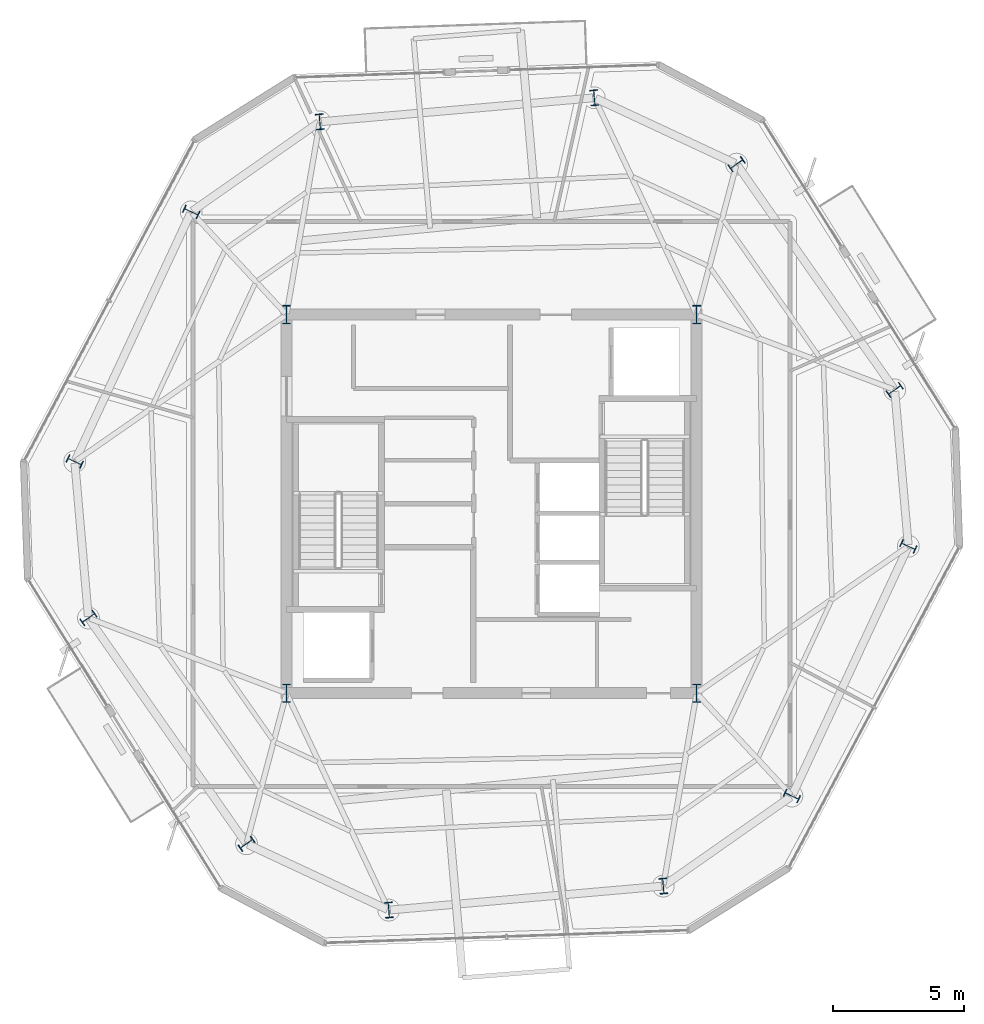
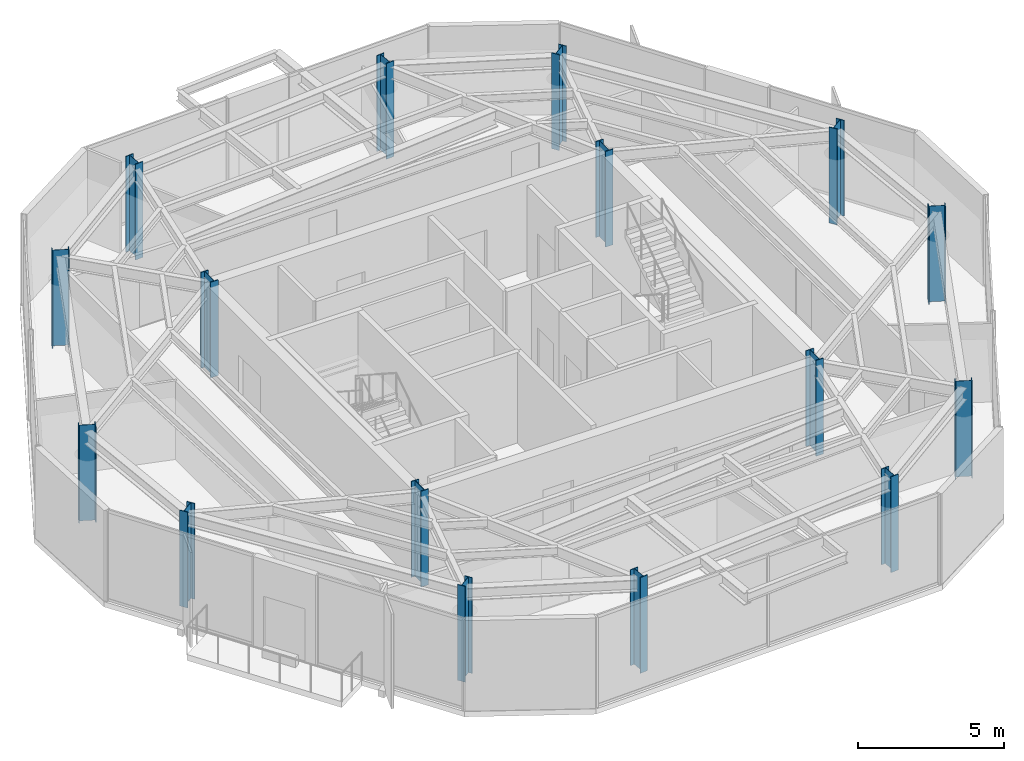
# One storey, part 1 of 11: 16 columns.
"""IFC4 building model written with IfcOpenShell, lengths in metres."""

from ifc_helpers import new_model, si_unit, direction, frame, origin, origin_2d, place, context, subcontext, project, spatial, i_section, extrude, material, material_profile, profile_set, type_object, element, save


model = new_model("IFC4")

# Units and contexts
model_context = context("Model", 3, precision=1e-05, world=origin(), true_north=direction((0.0, 1.0)))
body_context = subcontext(model_context, "Body", "Model", "MODEL_VIEW")
ifc_project = project(units=[si_unit("LENGTHUNIT", "METRE"), si_unit("AREAUNIT", "SQUARE_METRE"), si_unit("VOLUMEUNIT", "CUBIC_METRE"), si_unit("PLANEANGLEUNIT", "RADIAN"), si_unit("MASSUNIT", "GRAM", prefix="KILO")], contexts=[model_context])

# Site, building, storey
site_placement = place(None, origin())
site = spatial("IfcSite", under=ifc_project, at=site_placement, CompositionType="ELEMENT")
building_placement = place(site_placement, origin())
building = spatial("IfcBuilding", under=site, at=building_placement, Name="Kranzbogen Civic Tower", CompositionType="ELEMENT")
storey_placement = place(building_placement, frame((0.0, 0.0, 274.199951171875)))
storey = spatial("IfcBuildingStorey", under=building, at=storey_placement, Name="L66", CompositionType="ELEMENT", Elevation=274.199951171875)

# Columns
ifc_material = material(Name="Steel S355", Category="steel")
ifc_material_profile_1 = material_profile(ifc_material, i_section(OverallWidth=0.300048828125, OverallDepth=0.60009765625, WebThickness=0.015380859375, FlangeThickness=0.030029296875, at=origin_2d()), Name="HEB 600")
ifc_profile_set_1 = profile_set([ifc_material_profile_1], Name="Steel S355")
column_type_1 = type_object("IfcColumnType", Name="Structural Column HEB 600", PredefinedType="COLUMN", material=ifc_profile_set_1)
for number, where, z_axis, x_axis, name in (
    (1, (28.908935546875, 40.449951171875, 0.0), (0.0, 0.0, 1.0), (0.996194698092, 0.087155742748, 0.0), "L66 tower perimeter tube column 01"),
    (2, (18.467041015625, 39.535888671875, 0.0), (0.0, 0.0, 1.0), (0.996194698092, 0.087155742748, 0.0), "L66 tower perimeter tube column 02"),
    (3, (13.574951171875, 36.110107421875, 0.0), (0.0, 0.0, 1.0), (0.422618261741, 0.906307787037, 0.0), "L66 tower perimeter tube column 03"),
    (4, (9.14501953125, 26.610107421875, 0.0), (0.0, 0.0, 1.0), (0.422618261741, 0.906307787037, 0.0), "L66 tower perimeter tube column 04"),
    (5, (9.666015625, 20.660888671875, 0.0), (0.0, 0.0, 1.0), (-0.573576436351, 0.819152044289, 0.0), "L66 tower perimeter tube column 05"),
    (6, (15.677978515625, 12.073974609375, 0.0), (0.0, 0.0, 1.0), (-0.573576436351, 0.819152044289, 0.0), "L66 tower perimeter tube column 06"),
    (7, (21.091064453125, 9.550048828125, 0.0), (0.0, 0.0, 1.0), (0.996194698092, 0.087155742748, 0.0), "L66 tower perimeter tube column 07"),
    (8, (31.532958984375, 10.464111328125, 0.0), (0.0, 0.0, 1.0), (0.996194698092, 0.087155742748, 0.0), "L66 tower perimeter tube column 08"),
    (9, (36.425048828125, 13.889892578125, 0.0), (0.0, 0.0, 1.0), (0.422618261741, 0.906307787037, 0.0), "L66 tower perimeter tube column 09"),
    (10, (40.85498046875, 23.389892578125, 0.0), (0.0, 0.0, 1.0), (0.422618261741, 0.906307787037, 0.0), "L66 tower perimeter tube column 10"),
    (11, (40.333984375, 29.339111328125, 0.0), (0.0, 0.0, 1.0), (-0.573576436351, 0.819152044289, 0.0), "L66 tower perimeter tube column 11"),
    (12, (34.322021484375, 37.926025390625, 0.0), (0.0, 0.0, 1.0), (-0.573576436351, 0.819152044289, 0.0), "L66 tower perimeter tube column 12"),
):
    element("IfcColumn", number, at=place(storey_placement, frame(where, z_axis=z_axis, x_axis=x_axis)), inside=storey, type_object=column_type_1, Name=name, PredefinedType="COLUMN", context=body_context, shape_type="SweptSolid", body=[
        extrude(i_section(OverallWidth=0.300048828125, OverallDepth=0.60009765625, WebThickness=0.015380859375, FlangeThickness=0.030029296875, at=origin_2d()), origin(), (0.0, 0.0, 1.0), 4.0),
    ])
ifc_material_profile_2 = material_profile(ifc_material, i_section(OverallWidth=0.300048828125, OverallDepth=0.699951171875, WebThickness=0.01708984375, FlangeThickness=0.031982421875, at=origin_2d()), Name="HEB 700")
ifc_profile_set_2 = profile_set([ifc_material_profile_2], Name="Steel S355")
column_type_2 = type_object("IfcColumnType", Name="Structural Column HEB 700", PredefinedType="COLUMN", material=ifc_profile_set_2)
for number, where, z_axis, x_axis, name in (
    (13, (17.199951171875, 17.800048828125, 0.0), (0.0, 0.0, 1.0), (1.0, 0.0, 0.0), "L66 composite core corner column 1"),
    (14, (32.800048828125, 17.800048828125, 0.0), (0.0, 0.0, 1.0), (1.0, 0.0, 0.0), "L66 composite core corner column 2"),
    (15, (32.800048828125, 32.199951171875, 0.0), (0.0, 0.0, 1.0), (1.0, 0.0, 0.0), "L66 composite core corner column 3"),
    (16, (17.199951171875, 32.199951171875, 0.0), (0.0, 0.0, 1.0), (1.0, 0.0, 0.0), "L66 composite core corner column 4"),
):
    element("IfcColumn", number, at=place(storey_placement, frame(where, z_axis=z_axis, x_axis=x_axis)), inside=storey, type_object=column_type_2, Name=name, PredefinedType="COLUMN", context=body_context, shape_type="SweptSolid", body=[
        extrude(i_section(OverallWidth=0.300048828125, OverallDepth=0.699951171875, WebThickness=0.01708984375, FlangeThickness=0.031982421875, at=origin_2d()), origin(), (0.0, 0.0, 1.0), 4.0),
    ])

save(model, "model.ifc")
